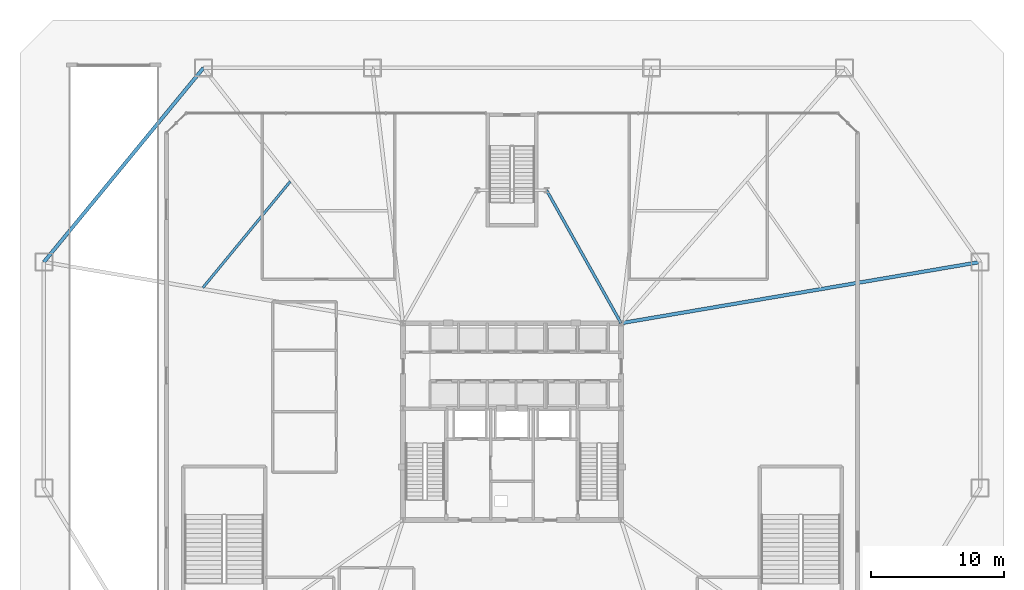
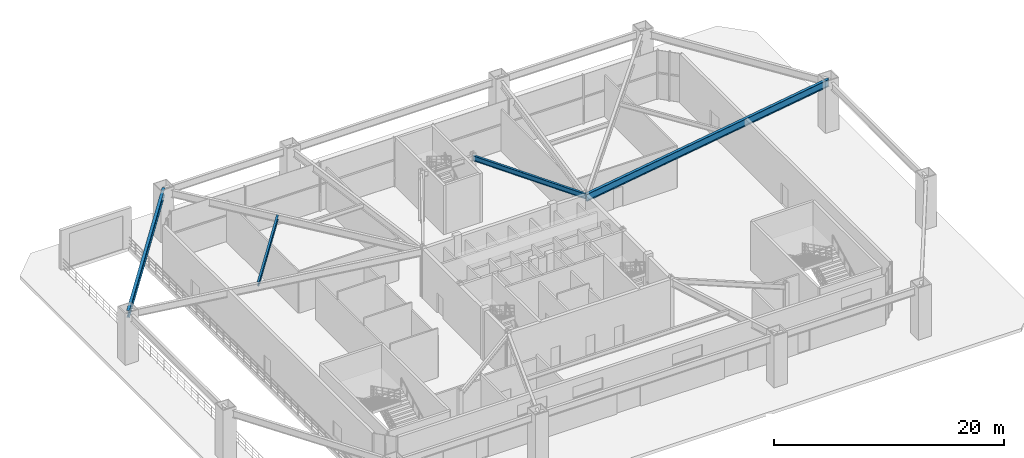
# One storey, part 8 of 20: 4 beams.
"""IFC4 building model written with IfcOpenShell, lengths in metres."""

from ifc_helpers import new_model, si_unit, direction, frame, origin, origin_2d, place, context, subcontext, project, spatial, i_section, extrude, material, material_profile, profile_set, type_object, element, save


model = new_model("IFC4")

# Units and contexts
model_context = context("Model", 3, precision=1e-05, world=origin(), true_north=direction((0.0, 1.0)))
body_context = subcontext(model_context, "Body", "Model", "MODEL_VIEW")
ifc_project = project(units=[si_unit("LENGTHUNIT", "METRE"), si_unit("AREAUNIT", "SQUARE_METRE"), si_unit("VOLUMEUNIT", "CUBIC_METRE"), si_unit("PLANEANGLEUNIT", "RADIAN"), si_unit("MASSUNIT", "GRAM", prefix="KILO")], contexts=[model_context])

# Site, building, storey
site_placement = place(None, origin())
site = spatial("IfcSite", under=ifc_project, at=site_placement, CompositionType="ELEMENT")
building_placement = place(site_placement, origin())
building = spatial("IfcBuilding", under=site, at=building_placement, Name="Varakhsha Concourse Tower", CompositionType="ELEMENT")
storey_placement = place(building_placement, origin())
storey = spatial("IfcBuildingStorey", under=building, at=storey_placement, Name="L01", CompositionType="ELEMENT", Elevation=0.0)

# Beams
ifc_material = material(Name="Structural Steel ASTM A992 Grade 50", Category="steel")
ifc_material_profile_1 = material_profile(ifc_material, i_section(OverallWidth=0.26611328125, OverallDepth=0.779052734375, WebThickness=0.01708984375, FlangeThickness=0.030029296875, at=origin_2d()), Name="W30X148")
ifc_profile_set_1 = profile_set([ifc_material_profile_1], Name="Structural Steel ASTM A992 Grade 50")
beam_type_1 = type_object("IfcBeamType", Name="BM-BASE-W30X148", PredefinedType="USERDEFINED", material=ifc_profile_set_1)
beam_1_placement = place(storey_placement, frame((16.800048828125, 50.39990234375, 4.83056640625), z_axis=(-0.634968877859, -0.772537716976, 0.0), x_axis=(0.772537716976, -0.634968877859, 0.0)))
element("IfcBeam", 1, at=beam_1_placement, inside=storey, type_object=beam_type_1, Name="BM-PRING-L01-10", ObjectType="GIRDER", PredefinedType="USERDEFINED", context=body_context, shape_type="SweptSolid", body=[
    extrude(i_section(OverallWidth=0.26611328125, OverallDepth=0.779052734375, WebThickness=0.01708984375, FlangeThickness=0.030029296875, at=origin_2d()), origin(), (0.0, 0.0, 1.0), 18.898681640625),
])
beam_2_placement = place(storey_placement, frame((48.199951171875, 31.199951171875, 4.83056640625), z_axis=(0.985794867271, 0.167953802166, 0.0), x_axis=(-0.167953802166, 0.985794867271, 0.0)))
element("IfcBeam", 2, at=beam_2_placement, inside=storey, type_object=beam_type_1, Name="BM-PRAD-L01-06", ObjectType="GIRDER", PredefinedType="USERDEFINED", context=body_context, shape_type="SweptSolid", body=[
    extrude(i_section(OverallWidth=0.26611328125, OverallDepth=0.779052734375, WebThickness=0.01708984375, FlangeThickness=0.030029296875, at=origin_2d()), origin(), (0.0, 0.0, 1.0), 27.38916015625),
])
ifc_material_profile_2 = material_profile(ifc_material, i_section(OverallWidth=0.19091796875, OverallDepth=0.45703125, WebThickness=0.009033203125, FlangeThickness=0.013916015625, at=origin_2d()), Name="W18X50")
ifc_profile_set_2 = profile_set([ifc_material_profile_2], Name="Structural Steel ASTM A992 Grade 50")
beam_type_2 = type_object("IfcBeamType", Name="BM-JST-W18X50", PredefinedType="JOIST", material=ifc_profile_set_2)
beam_3_placement = place(storey_placement, frame((23.32373046875, 41.859375, 4.991455078125), z_axis=(-0.634959865375, -0.772545124483, 0.0), x_axis=(0.772545124483, -0.634959865375, 0.0)))
element("IfcBeam", 3, at=beam_3_placement, inside=storey, type_object=beam_type_2, Name="BM-PJST-L01-10", PredefinedType="JOIST", context=body_context, shape_type="SweptSolid", body=[
    extrude(i_section(OverallWidth=0.19091796875, OverallDepth=0.45703125, WebThickness=0.009033203125, FlangeThickness=0.013916015625, at=origin_2d()), origin(), (0.0, 0.0, 1.0), 10.34326171875),
])
ifc_material_profile_3 = material_profile(ifc_material, i_section(OverallWidth=0.2109375, OverallDepth=0.5390625, WebThickness=0.011962890625, FlangeThickness=0.01904296875, at=origin_2d()), Name="W21X73")
ifc_profile_set_3 = profile_set([ifc_material_profile_3], Name="Structural Steel ASTM A992 Grade 50")
beam_type_3 = type_object("IfcBeamType", Name="BM-RAD-W21X73", PredefinedType="BEAM", material=ifc_profile_set_3)
beam_4_placement = place(storey_placement, frame((48.199951171875, 31.199951171875, 4.950439453125), z_axis=(-0.488593639205, 0.872511464526, 0.0), x_axis=(-0.872511464526, -0.488593639205, 0.0)))
element("IfcBeam", 4, at=beam_4_placement, inside=storey, type_object=beam_type_3, Name="BM-CORE-L01-NSE", PredefinedType="BEAM", context=body_context, shape_type="SweptSolid", body=[
    extrude(i_section(OverallWidth=0.2109375, OverallDepth=0.5390625, WebThickness=0.011962890625, FlangeThickness=0.01904296875, at=origin_2d()), origin(), (0.0, 0.0, 1.0), 11.461181640625),
])

save(model, "model.ifc")
